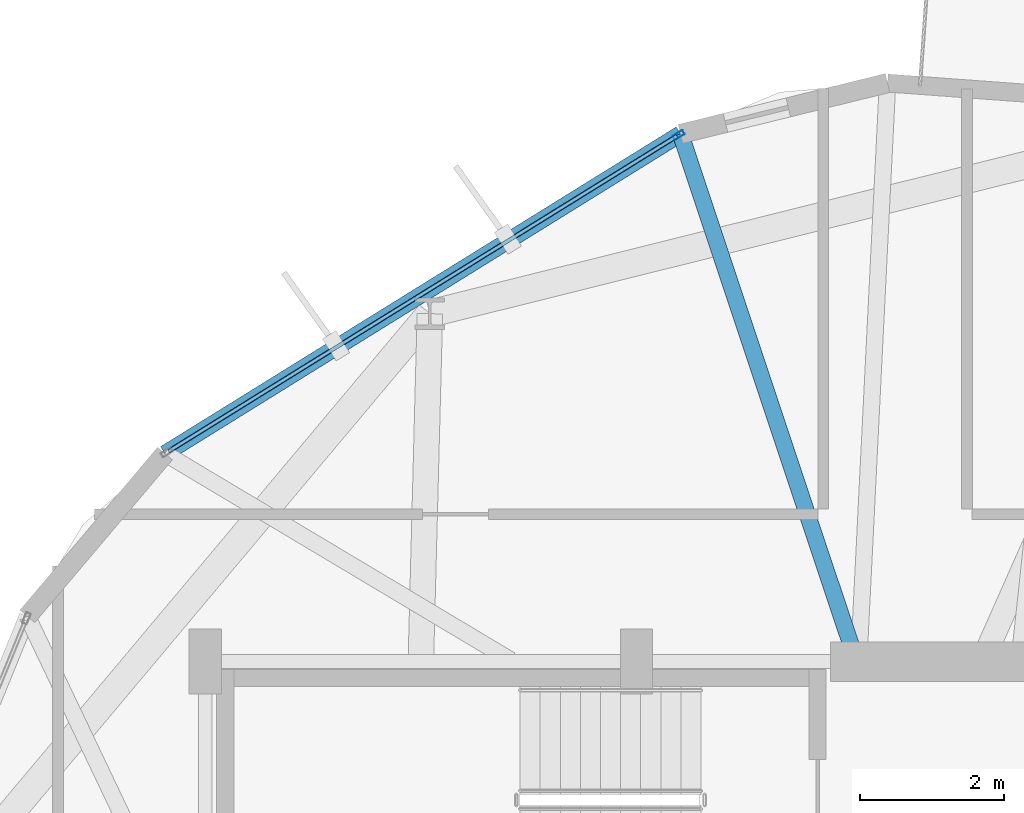
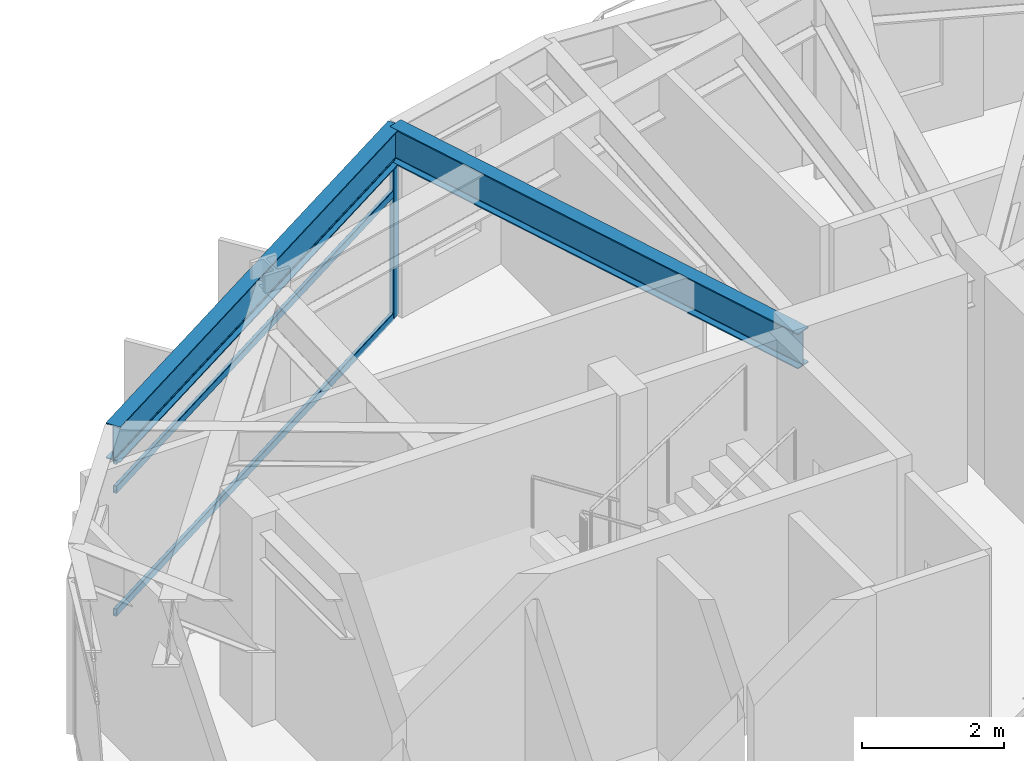
# One storey, part 11 of 21: 4 members, 2 beams, 1 element without a shape of its own.
"""IFC4 building model written with IfcOpenShell, lengths in metres."""

import ifcopenshell
import ifcopenshell.guid

model = None  # the IFC model being written
_history = None  # IfcOwnerHistory: only IFC2X3 demands one
_inside = {}  # id of a spatial element -> (the spatial element, [elements in it])
_under = {}  # id of a project, library or spatial element -> (it, [spatial elements below it])
_declared = {}  # id of a project -> (the project, [libraries it declares])
_typed = {}  # id of a type object -> (the type object, [elements of that type])
_made_of = {}  # id of a material, layer set ... -> (it, [elements and type objects made of it])


def new_model(schema):
    """Start an empty IFC model of exactly this schema.

    Asked for "IFC4X3", IfcOpenShell would pick the latest addendum, in which some entities
    have other attributes; the version numbers below select the first issue.
    IFC2X3 requires an IfcOwnerHistory on every rooted entity: one is made here for all.
    """
    global model, _history
    if schema == "IFC4X3":
        model = ifcopenshell.file(schema_version=(4, 3, 0, 0))
    else:
        model = ifcopenshell.file(schema=schema)
    _inside.clear()
    _under.clear()
    _declared.clear()
    _typed.clear()
    _made_of.clear()
    _history = None
    if model.schema == "IFC2X3":
        org = make("IfcOrganization", Name="unknown")
        user = make(
            "IfcPersonAndOrganization",
            ThePerson=make("IfcPerson", FamilyName="unknown"),
            TheOrganization=org,
        )
        app = make(
            "IfcApplication",
            ApplicationDeveloper=org,
            Version="unknown",
            ApplicationFullName="unknown",
            ApplicationIdentifier="unknown",
        )
        _history = make(
            "IfcOwnerHistory",
            OwningUser=user,
            OwningApplication=app,
            ChangeAction="ADDED",
            CreationDate=0,
        )
    return model


def make(cls, **values):
    """One entity of the class cls with the attributes given. An attribute that is None is left unset."""
    return model.create_entity(
        cls, **{name: value for name, value in values.items() if value is not None}
    )


def rooted(cls, **values):
    """An entity with a GlobalId (a new one), such as an element, a storey or a relation."""
    return make(cls, GlobalId=ifcopenshell.guid.new(), OwnerHistory=_history, **values)


def si_unit(unit_type, name, prefix=None):
    """IfcSIUnit, for example si_unit("LENGTHUNIT", "METRE", prefix="MILLI")."""
    return make("IfcSIUnit", UnitType=unit_type, Prefix=prefix, Name=name)


def assignment(units):
    """IfcUnitAssignment: the units of a project."""
    return None if units is None else make("IfcUnitAssignment", Units=units)


def point(xyz):
    """IfcCartesianPoint."""
    return None if xyz is None else make("IfcCartesianPoint", Coordinates=xyz)


def direction(xyz):
    """IfcDirection."""
    return None if xyz is None else make("IfcDirection", DirectionRatios=xyz)


def frame(location, z_axis=None, x_axis=None):
    """IfcAxis2Placement3D, a coordinate frame: its origin and axes. An axis left out is left unset."""
    return make(
        "IfcAxis2Placement3D",
        Location=point(location),
        Axis=direction(z_axis),
        RefDirection=direction(x_axis),
    )


def frame_2d(location, x_axis=None):
    """IfcAxis2Placement2D, a coordinate frame in the plane: its origin and x axis."""
    return make(
        "IfcAxis2Placement2D", Location=point(location), RefDirection=direction(x_axis)
    )


def origin():
    """The frame at (0, 0, 0) with its axes left unset."""
    return frame((0.0, 0.0, 0.0))


def origin_2d():
    """The frame at (0, 0) in the plane with its x axis left unset."""
    return frame_2d((0.0, 0.0))


def place(relative_to, where):
    """IfcLocalPlacement: puts the frame where relative to a parent placement (None: the world)."""
    return make(
        "IfcLocalPlacement", PlacementRelTo=relative_to, RelativePlacement=where
    )


def context(
    kind, dimensions, precision=None, world=None, true_north=None, identifier=None
):
    """IfcGeometricRepresentationContext, for example the 3D "Model" context."""
    return make(
        "IfcGeometricRepresentationContext",
        ContextIdentifier=identifier,
        ContextType=kind,
        CoordinateSpaceDimension=dimensions,
        Precision=precision,
        WorldCoordinateSystem=world,
        TrueNorth=true_north,
    )


def subcontext(parent, identifier, kind, view, scale=None):
    """IfcGeometricRepresentationSubContext, for example "Body" below "Model"."""
    return make(
        "IfcGeometricRepresentationSubContext",
        ContextIdentifier=identifier,
        ContextType=kind,
        ParentContext=parent,
        TargetScale=scale,
        TargetView=view,
    )


def project(units=None, contexts=None):
    """IfcProject with its units and contexts."""
    return rooted(
        "IfcProject",
        Name="project",
        RepresentationContexts=contexts,
        UnitsInContext=assignment(units),
    )


def spatial(cls, under=None, at=None, **own):
    """A site, building, storey or space (cls), placed at a placement, below another one or the project."""
    s = rooted(cls, ObjectPlacement=at, **own)
    if under is not None:
        _under.setdefault(under.id(), (under, []))[1].append(s)
    return s


def profile(cls, at=None, kind="AREA", **sizes):
    """A parametric profile (cls). Its sizes go by their IFC names, for example OverallWidth=200.0."""
    return make(cls, ProfileType=kind, Position=at, **sizes)


def hollow_rectangle(**sizes):
    """IfcRectangleHollowProfileDef."""
    return profile("IfcRectangleHollowProfileDef", **sizes)


def i_section(**sizes):
    """IfcIShapeProfileDef."""
    return profile("IfcIShapeProfileDef", **sizes)


def extrude(swept, where, along, depth):
    """IfcExtrudedAreaSolid: the profile swept, set in the frame where, extruded along a direction by depth."""
    return make(
        "IfcExtrudedAreaSolid",
        SweptArea=swept,
        Position=where,
        ExtrudedDirection=direction(along),
        Depth=depth,
    )


def shape(context_of_items, identifier, shape_type, items):
    """IfcShapeRepresentation: the items that make up one representation, for example the "Body"."""
    return make(
        "IfcShapeRepresentation",
        ContextOfItems=context_of_items,
        RepresentationIdentifier=identifier,
        RepresentationType=shape_type,
        Items=items,
    )


def material(Name=None, Category=None):
    """IfcMaterial."""
    return make("IfcMaterial", Name=Name, Category=Category)


def layer(
    of_material, thickness, ventilated=None, Name=None, Category=None, Priority=None
):
    """IfcMaterialLayer: one layer of a wall or slab, of a material (None: an air gap)."""
    return make(
        "IfcMaterialLayer",
        Material=of_material,
        LayerThickness=thickness,
        IsVentilated=ventilated,
        Name=Name,
        Category=Category,
        Priority=Priority,
    )


def layer_set(layers, Name=None):
    """IfcMaterialLayerSet."""
    return make("IfcMaterialLayerSet", MaterialLayers=layers, LayerSetName=Name)


def material_profile(
    of_material, cross_section, Name=None, Category=None, Priority=None
):
    """IfcMaterialProfile: a cross section and its material."""
    return make(
        "IfcMaterialProfile",
        Name=Name,
        Material=of_material,
        Profile=cross_section,
        Priority=Priority,
        Category=Category,
    )


def profile_set(profiles, Name=None, composite=None):
    """IfcMaterialProfileSet."""
    return make(
        "IfcMaterialProfileSet",
        Name=Name,
        MaterialProfiles=profiles,
        CompositeProfile=composite,
    )


def made_of(thing, what):
    """Note that an element or type object is made of a material, layer set ...; save() writes the relation."""
    if what is not None:
        _made_of.setdefault(what.id(), (what, []))[1].append(thing)
    return thing


def type_object(cls, material=None, **own):
    """A type object (cls), such as IfcWallType, which elements share."""
    return made_of(rooted(cls, **own), material)


def element(
    cls,
    number,
    at=None,
    inside=None,
    cuts=None,
    type_object=None,
    material=None,
    context=None,
    identifier="Body",
    shape_type=None,
    held_by="IfcProductDefinitionShape",
    body=None,
    shapes=None,
    **own,
):
    """One element of the class cls, such as IfcWall. Its Tag is "e" and its number.

    at: its placement. inside: the storey or other place that contains it. cuts: it is an
    opening in that element (IfcRelVoidsElement). A single representation is given by context,
    identifier, shape_type and body (its items); several are given by shapes. held_by: the class
    of the entity that holds the representations. save() writes the other relations.
    """
    e = rooted(cls, Tag="e%d" % number, ObjectPlacement=at, **own)
    if body is not None:
        shapes = [shape(context, identifier, shape_type, body)]
    if shapes is not None:
        e.Representation = make(held_by, Representations=shapes)
    if inside is not None:
        _inside.setdefault(inside.id(), (inside, []))[1].append(e)
    if cuts is not None:
        rooted(
            "IfcRelVoidsElement", RelatingBuildingElement=cuts, RelatedOpeningElement=e
        )
    if type_object is not None:
        _typed.setdefault(type_object.id(), (type_object, []))[1].append(e)
    return made_of(e, material)


def aggregate(whole, parts):
    """IfcRelAggregates: a whole, such as a stair, and the parts it consists of."""
    return rooted("IfcRelAggregates", RelatingObject=whole, RelatedObjects=parts)


def save(model, path):
    """Write the relations noted so far, then the file.

    IfcRelAggregates (storeys below a building ...), IfcRelContainedInSpatialStructure (elements
    in a storey), IfcRelDefinesByType, IfcRelAssociatesMaterial and IfcRelDeclares: one each for
    every whole, place, type object, material and project.
    """
    for whole, parts in _under.values():
        aggregate(whole, parts)
    for where, things in _inside.values():
        rooted(
            "IfcRelContainedInSpatialStructure",
            RelatedElements=things,
            RelatingStructure=where,
        )
    for kind, things in _typed.values():
        rooted("IfcRelDefinesByType", RelatedObjects=things, RelatingType=kind)
    for what, things in _made_of.values():
        rooted("IfcRelAssociatesMaterial", RelatedObjects=things, RelatingMaterial=what)
    for by, libraries in _declared.values():
        rooted("IfcRelDeclares", RelatingContext=by, RelatedDefinitions=libraries)
    model.write(path)


model = new_model("IFC4")

# Units and contexts
model_context = context("Model", 3, precision=1e-05, world=origin(), true_north=direction((0.0, 1.0)))
body_context = subcontext(model_context, "Body", "Model", "MODEL_VIEW")
ifc_project = project(units=[si_unit("LENGTHUNIT", "METRE"), si_unit("AREAUNIT", "SQUARE_METRE"), si_unit("VOLUMEUNIT", "CUBIC_METRE"), si_unit("PLANEANGLEUNIT", "RADIAN"), si_unit("MASSUNIT", "GRAM", prefix="KILO")], contexts=[model_context])

# Site, building, storey
site_placement = place(None, origin())
site = spatial("IfcSite", under=ifc_project, at=site_placement, CompositionType="ELEMENT")
building_placement = place(site_placement, origin())
building = spatial("IfcBuilding", under=site, at=building_placement, Name="Soratama Intermodal Tower", CompositionType="ELEMENT")
storey_placement = place(building_placement, frame((0.0, 0.0, 153.39990234375)))
storey = spatial("IfcBuildingStorey", under=building, at=storey_placement, Name="L37", CompositionType="ELEMENT", Elevation=153.39990234375)

# Beams
ifc_material_1 = material(Name="Structural steel ASTM A992 Grade 50", Category="steel")
ifc_material_profile_1 = material_profile(ifc_material_1, i_section(OverallWidth=0.22900390625, OverallDepth=0.612060546875, WebThickness=0.011962890625, FlangeThickness=0.01953125, FilletRadius=0.012939453125, at=origin_2d()), Name="W24X84")
ifc_profile_set_1 = profile_set([ifc_material_profile_1], Name="Structural steel ASTM A992 Grade 50")
beam_type_1 = type_object("IfcBeamType", Name="BM-SPN-W24X84", PredefinedType="SPANDREL", material=ifc_profile_set_1)
beam_1_placement = place(storey_placement, frame((39.212890625, 42.342041015625, 2.994140625), z_axis=(-0.849890774408, -0.526958889836, 0.0), x_axis=(0.526958889836, -0.849890774408, 0.0)))
element("IfcBeam", 1, at=beam_1_placement, inside=storey, type_object=beam_type_1, Name="BS-L37-F03", PredefinedType="SPANDREL", context=body_context, shape_type="SweptSolid", body=[
    extrude(i_section(OverallWidth=0.22900390625, OverallDepth=0.612060546875, WebThickness=0.011962890625, FlangeThickness=0.01953125, FilletRadius=0.012939453125, at=origin_2d()), origin(), (0.0, 0.0, 1.0), 8.44091796875),
])
ifc_material_2 = material(Name="Structural steel ASTM A992 Grade 50", Category="steel")
ifc_material_profile_2 = material_profile(ifc_material_2, i_section(OverallWidth=0.22900390625, OverallDepth=0.612060546875, WebThickness=0.011962890625, FlangeThickness=0.01953125, FilletRadius=0.012939453125, at=origin_2d()), Name="W24X84")
ifc_profile_set_2 = profile_set([ifc_material_profile_2], Name="Structural steel ASTM A992 Grade 50")
beam_type_2 = type_object("IfcBeamType", Name="BM-TIE-W24X84", PredefinedType="BEAM", material=ifc_profile_set_2)
beam_2_placement = place(storey_placement, frame((41.64990234375, 35.0380859375, 2.994140625), z_axis=(-0.316503607325, 0.948591306386, 0.0), x_axis=(-0.948591306386, -0.316503607325, 0.0)))
element("IfcBeam", 2, at=beam_2_placement, inside=storey, type_object=beam_type_2, Name="BM-L37-TIE0-03", PredefinedType="BEAM", context=body_context, shape_type="SweptSolid", body=[
    extrude(i_section(OverallWidth=0.22900390625, OverallDepth=0.612060546875, WebThickness=0.011962890625, FlangeThickness=0.01953125, FilletRadius=0.012939453125, at=origin_2d()), origin(), (0.0, 0.0, 1.0), 7.69970703125),
])

# Curtain wall, members
ifc_material_3 = material(Name="Double-glazed aluminium curtain wall", Category="aluminium")
ifc_layer = layer(ifc_material_3, 0.159912109375)
ifc_layer_set = layer_set([ifc_layer], Name="Double-glazed aluminium curtain wall")
curtain_wall_type = type_object("IfcCurtainWallType", Name="CW-SYS-4", PredefinedType="NOTDEFINED", material=ifc_layer_set)
curtain_wall_placement = place(storey_placement, origin())
curtain_wall = element("IfcCurtainWall", 3, at=curtain_wall_placement, inside=storey, type_object=curtain_wall_type, Name="L37 Faceted Curtain Wall F03", PredefinedType="NOTDEFINED")
ifc_material_4 = material(Name="Anodised aluminium AA 6063-T6", Category="aluminium")
ifc_material_profile_3 = material_profile(ifc_material_4, hollow_rectangle(XDim=0.070068359375, YDim=0.159912109375, WallThickness=0.0048828125, InnerFilletRadius=0.0048828125, OuterFilletRadius=0.010009765625, at=origin_2d()), Name="CWM160X70X5")
ifc_profile_set_3 = profile_set([ifc_material_profile_3], Name="Anodised aluminium AA 6063-T6")
member_type_1 = type_object("IfcMemberType", Name="MT-CWM-4", PredefinedType="MULLION", material=ifc_profile_set_3)
member_1_placement = place(storey_placement, frame((39.1875, 42.326416015625, 0.0), z_axis=(0.0, 0.0, 1.0), x_axis=(0.526959352028, -0.849890487833, 0.0)))
member_1 = element("IfcMember", 4, at=member_1_placement, type_object=member_type_1, Name="CW-4 mullion 1", PredefinedType="MULLION", context=body_context, shape_type="SweptSolid", body=[
    extrude(hollow_rectangle(XDim=0.070068359375, YDim=0.159912109375, WallThickness=0.0048828125, InnerFilletRadius=0.0048828125, OuterFilletRadius=0.010009765625, at=origin_2d()), origin(), (0.0, 0.0, 1.0), 2.67919921875),
])
ifc_material_5 = material(Name="Anodised aluminium AA 6063-T6", Category="aluminium")
ifc_material_profile_4 = material_profile(ifc_material_5, hollow_rectangle(XDim=0.06005859375, YDim=0.1298828125, WallThickness=0.0048828125, InnerFilletRadius=0.0048828125, OuterFilletRadius=0.010009765625, at=origin_2d()), Name="CWT130X60X5")
ifc_profile_set_4 = profile_set([ifc_material_profile_4], Name="Anodised aluminium AA 6063-T6")
member_type_2 = type_object("IfcMemberType", Name="TT-CWT-2", PredefinedType="USERDEFINED", material=ifc_profile_set_4)
member_2_placement = place(storey_placement, frame((39.162109375, 42.310546875, 0.030029296875), z_axis=(-0.849893493038, -0.526954505143, 0.0), x_axis=(0.526954505143, -0.849893493038, 0.0)))
member_2 = element("IfcMember", 5, at=member_2_placement, type_object=member_type_2, Name="CW-4 transom 1.1", ObjectType="TRANSOM", PredefinedType="USERDEFINED", context=body_context, shape_type="SweptSolid", body=[
    extrude(hollow_rectangle(XDim=0.06005859375, YDim=0.1298828125, WallThickness=0.0048828125, InnerFilletRadius=0.0048828125, OuterFilletRadius=0.010009765625, at=origin_2d()), origin(), (0.0, 0.0, 1.0), 8.320556640625),
])
member_3_placement = place(storey_placement, frame((39.162109375, 42.310546875, 2.150146484375), z_axis=(-0.849893493038, -0.526954505143, 0.0), x_axis=(0.526954505143, -0.849893493038, 0.0)))
member_3 = element("IfcMember", 6, at=member_3_placement, type_object=member_type_2, Name="CW-4 transom 1.2", ObjectType="TRANSOM", PredefinedType="USERDEFINED", context=body_context, shape_type="SweptSolid", body=[
    extrude(hollow_rectangle(XDim=0.06005859375, YDim=0.1298828125, WallThickness=0.0048828125, InnerFilletRadius=0.0048828125, OuterFilletRadius=0.010009765625, at=origin_2d()), origin(), (0.0, 0.0, 1.0), 8.320556640625),
])
member_4_placement = place(storey_placement, frame((39.162109375, 42.310546875, 2.649169921875), z_axis=(-0.849893493038, -0.526954505143, 0.0), x_axis=(0.526954505143, -0.849893493038, 0.0)))
member_4 = element("IfcMember", 7, at=member_4_placement, type_object=member_type_2, Name="CW-4 transom 1.3", ObjectType="TRANSOM", PredefinedType="USERDEFINED", context=body_context, shape_type="SweptSolid", body=[
    extrude(hollow_rectangle(XDim=0.06005859375, YDim=0.1298828125, WallThickness=0.0048828125, InnerFilletRadius=0.0048828125, OuterFilletRadius=0.010009765625, at=origin_2d()), origin(), (0.0, 0.0, 1.0), 8.320556640625),
])
aggregate(curtain_wall, [member_1, member_2, member_3, member_4])

save(model, "model.ifc")
